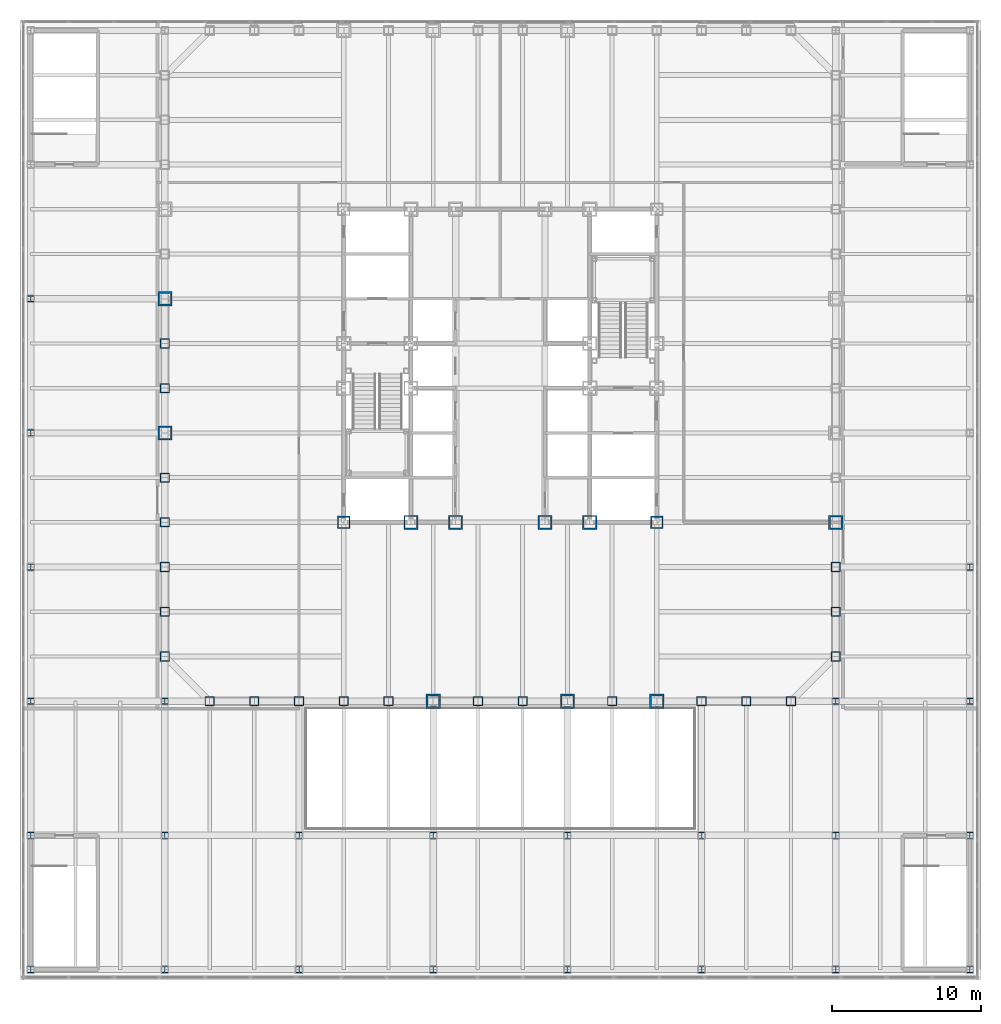
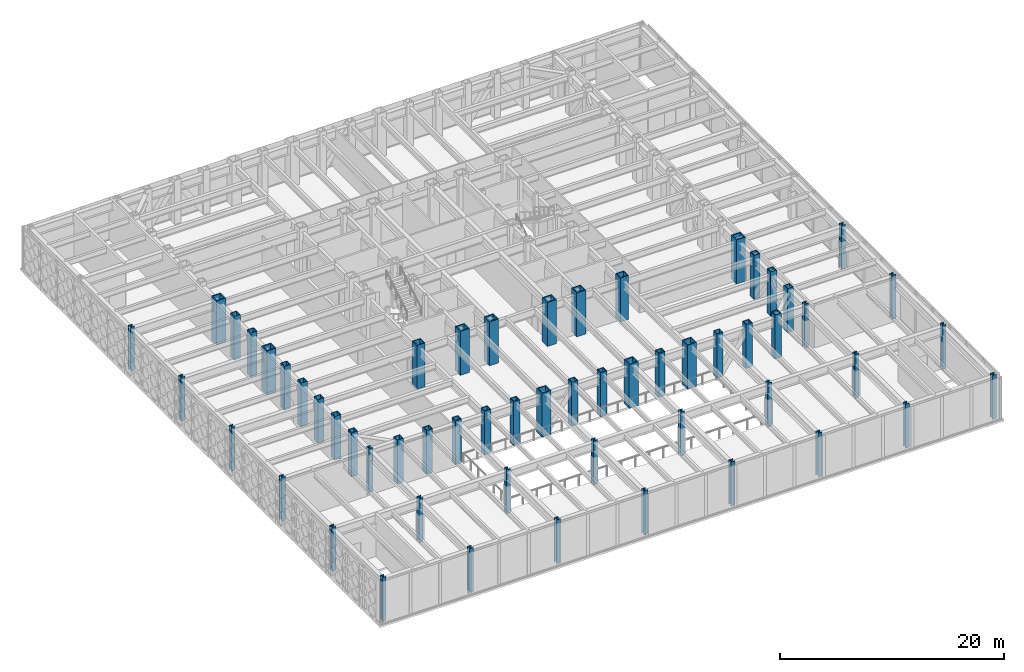
# One storey, part 1 of 24: 57 columns.
"""IFC4 building model written with IfcOpenShell, lengths in metres."""

from ifc_helpers import new_model, si_unit, direction, frame, origin, origin_2d, place, context, subcontext, project, spatial, hollow_rectangle, i_section, extrude, material, material_profile, profile_set, type_object, element, save


model = new_model("IFC4")

# Units and contexts
model_context = context("Model", 3, precision=1e-05, world=origin(), true_north=direction((0.0, 1.0)))
body_context = subcontext(model_context, "Body", "Model", "MODEL_VIEW")
ifc_project = project(units=[si_unit("LENGTHUNIT", "METRE"), si_unit("AREAUNIT", "SQUARE_METRE"), si_unit("VOLUMEUNIT", "CUBIC_METRE"), si_unit("PLANEANGLEUNIT", "RADIAN"), si_unit("MASSUNIT", "GRAM", prefix="KILO")], contexts=[model_context])

# Site, building, storey
site_placement = place(None, origin())
site = spatial("IfcSite", under=ifc_project, at=site_placement, CompositionType="ELEMENT")
building_placement = place(site_placement, origin())
building = spatial("IfcBuilding", under=site, at=building_placement, Name="Chuquiago Exchange Tower", CompositionType="ELEMENT")
storey_placement = place(building_placement, frame((0.0, 0.0, 19.5)))
storey = spatial("IfcBuildingStorey", under=building, at=storey_placement, Name="L03", CompositionType="ELEMENT", Elevation=19.5)

# Columns
ifc_material_1 = material(Name="Steel ASTM A572 Grade 50", Category="steel")
ifc_material_profile_1 = material_profile(ifc_material_1, hollow_rectangle(XDim=0.64990234375, YDim=0.64990234375, WallThickness=0.06494140625, at=origin_2d()), Name="BOX650X650X65")
ifc_profile_set_1 = profile_set([ifc_material_profile_1], Name="Steel ASTM A572 Grade 50")
column_type_1 = type_object("IfcColumnType", Name="C1 BOX650X650X65", PredefinedType="COLUMN", material=ifc_profile_set_1)
for number, where, z_axis, x_axis, name in (
    (1, (3.0, 0.0, 0.0), (0.0, 0.0, 1.0), (0.0, -1.0, 0.0), "COL-L03-3_0"),
    (2, (6.0, 0.0, 0.0), (0.0, 0.0, 1.0), (0.0, -1.0, 0.0), "COL-L03-6_0"),
    (3, (9.0, 0.0, 0.0), (0.0, 0.0, 1.0), (0.0, -1.0, 0.0), "COL-L03-9_0"),
    (4, (12.0, 0.0, 0.0), (0.0, 0.0, 1.0), (0.0, -1.0, 0.0), "COL-L03-12_0"),
    (5, (15.0, 0.0, 0.0), (0.0, 0.0, 1.0), (0.0, -1.0, 0.0), "COL-L03-15_0"),
    (6, (21.0, 0.0, 0.0), (0.0, 0.0, 1.0), (0.0, -1.0, 0.0), "COL-L03-21_0"),
    (7, (24.0, 0.0, 0.0), (0.0, 0.0, 1.0), (0.0, -1.0, 0.0), "COL-L03-24_0"),
    (8, (30.0, 0.0, 0.0), (0.0, 0.0, 1.0), (0.0, -1.0, 0.0), "COL-L03-30_0"),
    (9, (36.0, 0.0, 0.0), (0.0, 0.0, 1.0), (0.0, -1.0, 0.0), "COL-L03-36_0"),
    (10, (39.0, 0.0, 0.0), (0.0, 0.0, 1.0), (0.0, -1.0, 0.0), "COL-L03-39_0"),
    (11, (42.0, 0.0, 0.0), (0.0, 0.0, 1.0), (0.0, -1.0, 0.0), "COL-L03-42_0"),
    (12, (45.0, 3.0, 0.0), (0.0, 0.0, 1.0), (1.0, 0.0, 0.0), "COL-L03-45_3"),
    (13, (45.0, 6.0, 0.0), (0.0, 0.0, 1.0), (1.0, 0.0, 0.0), "COL-L03-45_6"),
    (14, (45.0, 9.0, 0.0), (0.0, 0.0, 1.0), (1.0, 0.0, 0.0), "COL-L03-45_9"),
    (15, (0.0, 24.0, 0.0), (0.0, 0.0, 1.0), (-1.0, 0.0, 0.0), "COL-L03-0_24"),
    (16, (0.0, 21.0, 0.0), (0.0, 0.0, 1.0), (-1.0, 0.0, 0.0), "COL-L03-0_21"),
    (17, (0.0, 15.0, 0.0), (0.0, 0.0, 1.0), (-1.0, 0.0, 0.0), "COL-L03-0_15"),
    (18, (0.0, 12.0, 0.0), (0.0, 0.0, 1.0), (-1.0, 0.0, 0.0), "COL-L03-0_12"),
    (19, (0.0, 9.0, 0.0), (0.0, 0.0, 1.0), (-1.0, 0.0, 0.0), "COL-L03-0_9"),
    (20, (0.0, 6.0, 0.0), (0.0, 0.0, 1.0), (-1.0, 0.0, 0.0), "COL-L03-0_6"),
    (21, (0.0, 3.0, 0.0), (0.0, 0.0, 1.0), (-1.0, 0.0, 0.0), "COL-L03-0_3"),
):
    element("IfcColumn", number, at=place(storey_placement, frame(where, z_axis=z_axis, x_axis=x_axis)), inside=storey, type_object=column_type_1, Name=name, PredefinedType="COLUMN", context=body_context, shape_type="SweptSolid", body=[
        extrude(hollow_rectangle(XDim=0.64990234375, YDim=0.64990234375, WallThickness=0.06494140625, at=origin_2d()), origin(), (0.0, 0.0, 1.0), 4.800048828125),
    ])
ifc_material_2 = material(Name="Steel ASTM A572 Grade 50", Category="steel")
ifc_material_profile_2 = material_profile(ifc_material_2, hollow_rectangle(XDim=0.949951171875, YDim=0.949951171875, WallThickness=0.094970703125, at=origin_2d()), Name="BOX950X950X95")
ifc_profile_set_2 = profile_set([ifc_material_profile_2], Name="Steel ASTM A572 Grade 50")
column_type_2 = type_object("IfcColumnType", Name="CC1 BOX950X950X95", PredefinedType="COLUMN", material=ifc_profile_set_2)
for number, where, z_axis, x_axis, name in (
    (22, (16.5, 12.0, 0.0), (0.0, 0.0, 1.0), (1.0, 0.0, 0.0), "CCOL-L03-16.5_12"),
    (23, (19.5, 12.0, 0.0), (0.0, 0.0, 1.0), (1.0, 0.0, 0.0), "CCOL-L03-19.5_12"),
    (24, (25.5, 12.0, 0.0), (0.0, 0.0, 1.0), (1.0, 0.0, 0.0), "CCOL-L03-25.5_12"),
    (25, (28.5, 12.0, 0.0), (0.0, 0.0, 1.0), (1.0, 0.0, 0.0), "CCOL-L03-28.5_12"),
):
    element("IfcColumn", number, at=place(storey_placement, frame(where, z_axis=z_axis, x_axis=x_axis)), inside=storey, type_object=column_type_2, Name=name, PredefinedType="COLUMN", context=body_context, shape_type="SweptSolid", body=[
        extrude(hollow_rectangle(XDim=0.949951171875, YDim=0.949951171875, WallThickness=0.094970703125, at=origin_2d()), origin(), (0.0, 0.0, 1.0), 4.800048828125),
    ])
ifc_material_3 = material(Name="Steel ASTM A572 Grade 50", Category="steel")
ifc_material_profile_3 = material_profile(ifc_material_3, hollow_rectangle(XDim=0.85009765625, YDim=0.85009765625, WallThickness=0.0849609375, at=origin_2d()), Name="BOX850X850X85")
ifc_profile_set_3 = profile_set([ifc_material_profile_3], Name="Steel ASTM A572 Grade 50")
column_type_3 = type_object("IfcColumnType", Name="CC6 BOX850X850X85", PredefinedType="COLUMN", material=ifc_profile_set_3)
for number, where, z_axis, x_axis, name in (
    (26, (12.0, 12.0, 0.0), (0.0, 0.0, 1.0), (1.0, 0.0, 0.0), "CCOL-L03-12_12"),
    (27, (33.0, 12.0, 0.0), (0.0, 0.0, 1.0), (1.0, 0.0, 0.0), "CCOL-L03-33_12"),
):
    element("IfcColumn", number, at=place(storey_placement, frame(where, z_axis=z_axis, x_axis=x_axis)), inside=storey, type_object=column_type_3, Name=name, PredefinedType="COLUMN", context=body_context, shape_type="SweptSolid", body=[
        extrude(hollow_rectangle(XDim=0.85009765625, YDim=0.85009765625, WallThickness=0.0849609375, at=origin_2d()), origin(), (0.0, 0.0, 1.0), 4.800048828125),
    ])
ifc_material_4 = material(Name="Steel ASTM A572 Grade 42", Category="steel")
ifc_material_profile_4 = material_profile(ifc_material_4, hollow_rectangle(XDim=0.949951171875, YDim=0.949951171875, WallThickness=0.110107421875, at=origin_2d()), Name="BOX950X950X110")
ifc_profile_set_4 = profile_set([ifc_material_profile_4], Name="Steel ASTM A572 Grade 42")
column_type_4 = type_object("IfcColumnType", Name="CT1 BOX950X950X110", PredefinedType="COLUMN", material=ifc_profile_set_4)
for number, where, z_axis, x_axis, name in (
    (28, (18.0, 0.0, 0.0), (0.0, 0.0, 1.0), (0.0, -1.0, 0.0), "COL-L03-18_0"),
    (29, (27.0, 0.0, 0.0), (0.0, 0.0, 1.0), (0.0, -1.0, 0.0), "COL-L03-27_0"),
    (30, (33.0, 0.0, 0.0), (0.0, 0.0, 1.0), (0.0, -1.0, 0.0), "COL-L03-33_0"),
    (31, (45.0, 12.0, 0.0), (0.0, 0.0, 1.0), (1.0, 0.0, 0.0), "COL-L03-45_12"),
    (32, (0.0, 27.0, 0.0), (0.0, 0.0, 1.0), (-1.0, 0.0, 0.0), "COL-L03-0_27"),
    (33, (0.0, 18.0, 0.0), (0.0, 0.0, 1.0), (-1.0, 0.0, 0.0), "COL-L03-0_18"),
):
    element("IfcColumn", number, at=place(storey_placement, frame(where, z_axis=z_axis, x_axis=x_axis)), inside=storey, type_object=column_type_4, Name=name, PredefinedType="COLUMN", context=body_context, shape_type="SweptSolid", body=[
        extrude(hollow_rectangle(XDim=0.949951171875, YDim=0.949951171875, WallThickness=0.110107421875, at=origin_2d()), origin(), (0.0, 0.0, 1.0), 4.800048828125),
    ])
ifc_material_5 = material(Name="Steel ASTM A992", Category="steel")
ifc_material_profile_5 = material_profile(ifc_material_5, i_section(OverallWidth=0.411376953125, OverallDepth=0.434326171875, WebThickness=0.035888671875, FlangeThickness=0.057373046875, at=origin_2d()), Name="W14X311")
ifc_profile_set_5 = profile_set([ifc_material_profile_5], Name="Steel ASTM A992")
column_type_5 = type_object("IfcColumnType", Name="PC1 W14X311", PredefinedType="COLUMN", material=ifc_profile_set_5)
for number, where, z_axis, x_axis, name in (
    (34, (-9.0, -18.0, 0.0), (0.0, 0.0, 1.0), (1.0, 0.0, 0.0), "PCOL-L03--9_-18"),
    (35, (-9.0, -9.0, 0.0), (0.0, 0.0, 1.0), (1.0, 0.0, 0.0), "PCOL-L03--9_-9"),
    (36, (-9.0, 0.0, 0.0), (0.0, 0.0, 1.0), (1.0, 0.0, 0.0), "PCOL-L03--9_0"),
    (37, (-9.0, 9.0, 0.0), (0.0, 0.0, 1.0), (1.0, 0.0, 0.0), "PCOL-L03--9_9"),
    (38, (-9.0, 18.0, 0.0), (0.0, 0.0, 1.0), (1.0, 0.0, 0.0), "PCOL-L03--9_18"),
    (39, (-9.0, 27.0, 0.0), (0.0, 0.0, 1.0), (1.0, 0.0, 0.0), "PCOL-L03--9_27"),
    (40, (0.0, -18.0, 0.0), (0.0, 0.0, 1.0), (1.0, 0.0, 0.0), "PCOL-L03-0_-18"),
    (41, (0.0, -9.0, 0.0), (0.0, 0.0, 1.0), (1.0, 0.0, 0.0), "PCOL-L03-0_-9"),
    (42, (0.0, 0.0, 0.0), (0.0, 0.0, 1.0), (1.0, 0.0, 0.0), "PCOL-L03-0_0"),
    (43, (9.0, -18.0, 0.0), (0.0, 0.0, 1.0), (1.0, 0.0, 0.0), "PCOL-L03-9_-18"),
    (44, (9.0, -9.0, 0.0), (0.0, 0.0, 1.0), (1.0, 0.0, 0.0), "PCOL-L03-9_-9"),
    (45, (18.0, -18.0, 0.0), (0.0, 0.0, 1.0), (1.0, 0.0, 0.0), "PCOL-L03-18_-18"),
    (46, (18.0, -9.0, 0.0), (0.0, 0.0, 1.0), (1.0, 0.0, 0.0), "PCOL-L03-18_-9"),
    (47, (27.0, -18.0, 0.0), (0.0, 0.0, 1.0), (1.0, 0.0, 0.0), "PCOL-L03-27_-18"),
    (48, (27.0, -9.0, 0.0), (0.0, 0.0, 1.0), (1.0, 0.0, 0.0), "PCOL-L03-27_-9"),
    (49, (36.0, -18.0, 0.0), (0.0, 0.0, 1.0), (1.0, 0.0, 0.0), "PCOL-L03-36_-18"),
    (50, (36.0, -9.0, 0.0), (0.0, 0.0, 1.0), (1.0, 0.0, 0.0), "PCOL-L03-36_-9"),
    (51, (45.0, -18.0, 0.0), (0.0, 0.0, 1.0), (1.0, 0.0, 0.0), "PCOL-L03-45_-18"),
    (52, (45.0, -9.0, 0.0), (0.0, 0.0, 1.0), (1.0, 0.0, 0.0), "PCOL-L03-45_-9"),
    (53, (45.0, 0.0, 0.0), (0.0, 0.0, 1.0), (1.0, 0.0, 0.0), "PCOL-L03-45_0"),
    (54, (54.0, -18.0, 0.0), (0.0, 0.0, 1.0), (1.0, 0.0, 0.0), "PCOL-L03-54_-18"),
    (55, (54.0, -9.0, 0.0), (0.0, 0.0, 1.0), (1.0, 0.0, 0.0), "PCOL-L03-54_-9"),
    (56, (54.0, 0.0, 0.0), (0.0, 0.0, 1.0), (1.0, 0.0, 0.0), "PCOL-L03-54_0"),
    (57, (54.0, 9.0, 0.0), (0.0, 0.0, 1.0), (1.0, 0.0, 0.0), "PCOL-L03-54_9"),
):
    element("IfcColumn", number, at=place(storey_placement, frame(where, z_axis=z_axis, x_axis=x_axis)), inside=storey, type_object=column_type_5, Name=name, PredefinedType="COLUMN", context=body_context, shape_type="SweptSolid", body=[
        extrude(i_section(OverallWidth=0.411376953125, OverallDepth=0.434326171875, WebThickness=0.035888671875, FlangeThickness=0.057373046875, at=origin_2d()), origin(), (0.0, 0.0, 1.0), 4.800048828125),
    ])

save(model, "model.ifc")
